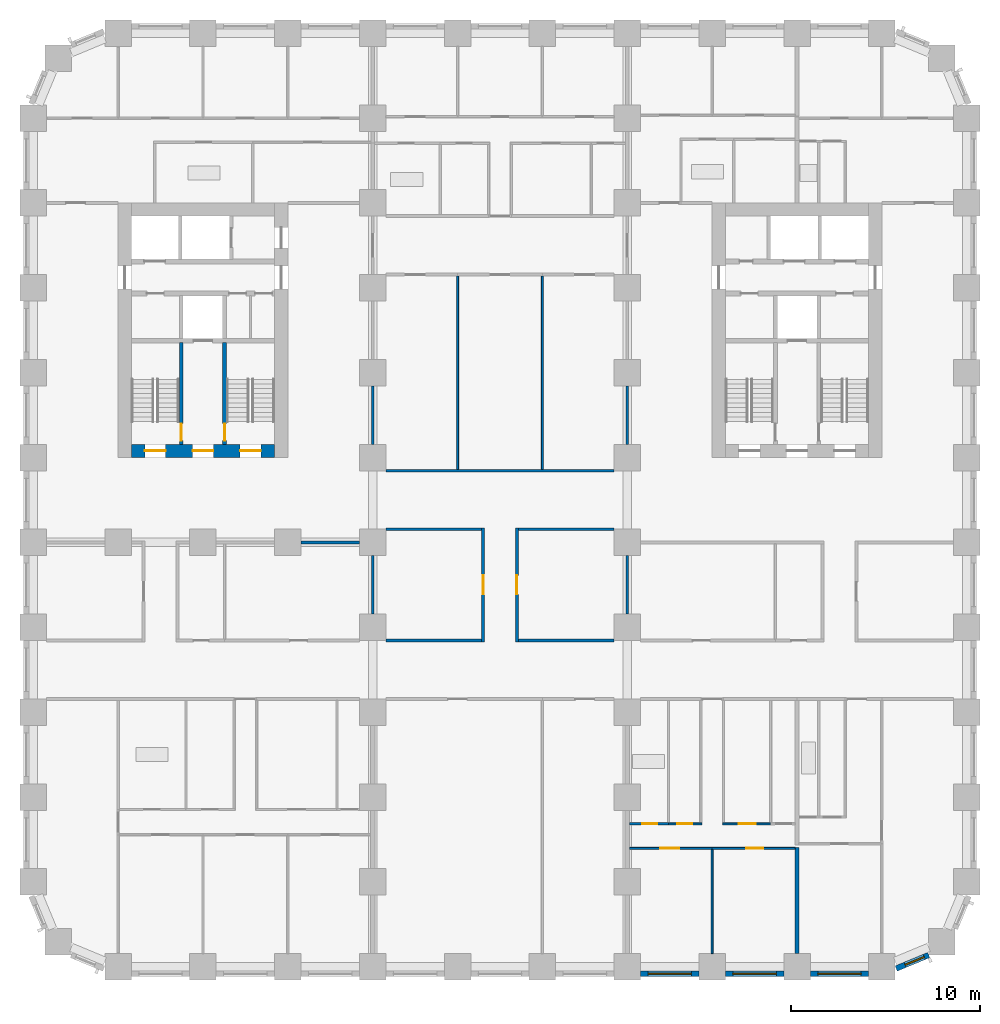
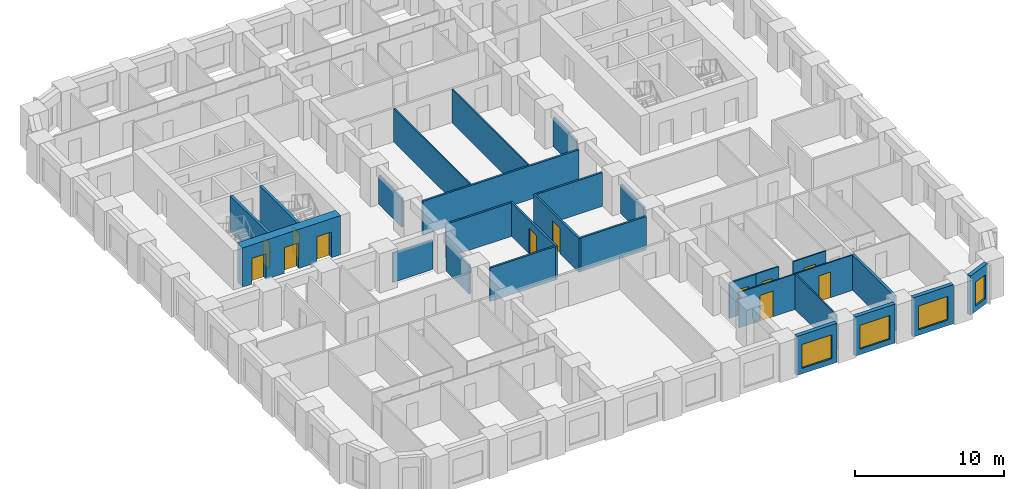
# One storey, part 4 of 13: 28 walls, 12 doors, 4 windows, 16 openings.
"""IFC4 building model written with IfcOpenShell, lengths in metres."""

from ifc_helpers import new_model, si_unit, direction, frame, frame_2d, origin, place, context, subcontext, project, spatial, rectangle, extrude, material, layer, layer_set, type_object, element, fill, save


model = new_model("IFC4")

# Units and contexts
model_context = context("Model", 3, precision=1e-05, world=origin(), true_north=direction((0.0, 1.0)))
body_context = subcontext(model_context, "Body", "Model", "MODEL_VIEW")
ifc_project = project(units=[si_unit("LENGTHUNIT", "METRE"), si_unit("AREAUNIT", "SQUARE_METRE"), si_unit("VOLUMEUNIT", "CUBIC_METRE"), si_unit("PLANEANGLEUNIT", "RADIAN"), si_unit("MASSUNIT", "GRAM", prefix="KILO")], contexts=[model_context])

# Site, building, storey
site_placement = place(None, origin())
site = spatial("IfcSite", under=ifc_project, at=site_placement, CompositionType="ELEMENT")
building_placement = place(site_placement, origin())
building = spatial("IfcBuilding", under=site, at=building_placement, Name="Girih Gate Residences", CompositionType="ELEMENT")
storey_placement = place(building_placement, frame((0.0, 0.0, 49.60009765625)))
storey = spatial("IfcBuildingStorey", under=building, at=storey_placement, Name="L12", CompositionType="ELEMENT", Elevation=49.60009765625)

# Wall, opening, door
ifc_material_1 = material(Name="Gypsum board on steel studs", Category="steel")
ifc_layer_1 = layer(ifc_material_1, 0.14990234375)
ifc_layer_set_1 = layer_set([ifc_layer_1], Name="Compartment wall 150 mm")
wall_type_1 = type_object("IfcWallType", Name="Compartment wall 150 mm", PredefinedType="PARTITIONING", material=ifc_layer_set_1)
wall_1_placement = place(storey_placement, frame((23.85009765625, 17.22509765625, 0.0), z_axis=(0.0, 0.0, 1.0), x_axis=(0.0, 1.0, 0.0)))
wall_1 = element("IfcWall", 1, at=wall_1_placement, inside=storey, type_object=wall_type_1, Name="L12 partition", PredefinedType="PARTITIONING", context=body_context, shape_type="SweptSolid", body=[
    extrude(rectangle(XDim=6.0498046875, YDim=0.14990234375, at=frame_2d((3.02490234375, 0.0))), origin(), (0.0, 0.0, 1.0), 2.75),
])
opening_1_placement = place(wall_1_placement, frame((2.52490234375, 0.0, 0.0)))
opening_1 = element("IfcOpeningElement", 2, at=opening_1_placement, cuts=wall_1, Name="Opening A12-054", PredefinedType="OPENING", context=body_context, shape_type="SweptSolid", body=[
    extrude(rectangle(XDim=1.0, YDim=2.10009765625, at=frame_2d((0.5, 1.050048828125))), frame((0.0, 0.0849609375, 0.0), z_axis=(0.0, -1.0, 0.0), x_axis=(1.0, 0.0, 0.0)), (0.0, 0.0, 1.0), 0.169921875),
])
ifc_material_2 = material(Name="Timber, fire-rated core", Category="wood")
door_type_1 = type_object("IfcDoorType", Name="Amenity room door 1000x2100 FD30S", OperationType="NOTDEFINED", PredefinedType="DOOR", material=ifc_material_2)
door_1_placement = place(opening_1_placement, origin())
door_1 = element("IfcDoor", 3, at=door_1_placement, inside=storey, type_object=door_type_1, Name="Door A12-054", OperationType="SINGLE_SWING_RIGHT", OverallHeight=2.10009765625, OverallWidth=1.0, PredefinedType="DOOR", context=body_context, shape_type="SweptSolid", body=[
    extrude(rectangle(XDim=1.0, YDim=2.10009765625, at=frame_2d((0.5, 1.050048828125))), frame((0.0, 0.02490234375, 0.0), z_axis=(0.0, -1.0, 0.0), x_axis=(1.0, 0.0, 0.0)), (0.0, 0.0, 1.0), 0.050048828125),
])
fill(opening_1, door_1)

wall_2_placement = place(storey_placement, frame((25.64990234375, 23.27490234375, 0.0), z_axis=(0.0, 0.0, 1.0), x_axis=(0.0, -1.0, 0.0)))
wall_2 = element("IfcWall", 4, at=wall_2_placement, inside=storey, type_object=wall_type_1, Name="L12 partition", PredefinedType="PARTITIONING", context=body_context, shape_type="SweptSolid", body=[
    extrude(rectangle(XDim=6.0498046875, YDim=0.14990234375, at=frame_2d((3.02490234375, 0.0))), origin(), (0.0, 0.0, 1.0), 2.75),
])
opening_2_placement = place(wall_2_placement, frame((2.52490234375, 0.0, 0.0)))
opening_2 = element("IfcOpeningElement", 5, at=opening_2_placement, cuts=wall_2, Name="Opening A12-055", PredefinedType="OPENING", context=body_context, shape_type="SweptSolid", body=[
    extrude(rectangle(XDim=1.0, YDim=2.10009765625, at=frame_2d((0.5, 1.050048828125))), frame((0.0, 0.0849609375, 0.0), z_axis=(0.0, -1.0, 0.0), x_axis=(1.0, 0.0, 0.0)), (0.0, 0.0, 1.0), 0.169921875),
])
door_2_placement = place(opening_2_placement, origin())
door_2 = element("IfcDoor", 6, at=door_2_placement, inside=storey, type_object=door_type_1, Name="Door A12-055", OperationType="SINGLE_SWING_RIGHT", OverallHeight=2.10009765625, OverallWidth=1.0, PredefinedType="DOOR", context=body_context, shape_type="SweptSolid", body=[
    extrude(rectangle(XDim=1.0, YDim=2.10009765625, at=frame_2d((0.5, 1.050048828125))), frame((0.0, 0.02490234375, 0.0), z_axis=(0.0, -1.0, 0.0), x_axis=(1.0, 0.0, 0.0)), (0.0, 0.0, 1.0), 0.050048828125),
])
fill(opening_2, door_2)

# Walls
for number, where, z_axis, x_axis, name in (
    (7, (18.699951171875, 17.300048828125, 0.0), (0.0, 0.0, 1.0), (1.0, 0.0, 0.0), "L12 partition"),
    (8, (25.72509765625, 17.300048828125, 0.0), (0.0, 0.0, 1.0), (1.0, 0.0, 0.0), "L12 partition"),
):
    element("IfcWall", number, at=place(storey_placement, frame(where, z_axis=z_axis, x_axis=x_axis)), inside=storey, type_object=wall_type_1, Name=name, PredefinedType="PARTITIONING", context=body_context, shape_type="SweptSolid", body=[
        extrude(rectangle(XDim=5.074951171875, YDim=0.14990234375, at=frame_2d((2.53759765625, 0.0))), origin(), (0.0, 0.0, 1.0), 2.75),
    ])
wall_3_placement = place(storey_placement, frame((18.0, 27.699951171875, 0.0), z_axis=(0.0, 0.0, 1.0), x_axis=(0.0, 1.0, 0.0)))
element("IfcWall", 9, at=wall_3_placement, inside=storey, type_object=wall_type_1, Name="L12 partition", PredefinedType="PARTITIONING", context=body_context, shape_type="SweptSolid", body=[
    extrude(rectangle(XDim=3.10009765625, YDim=0.14990234375, at=frame_2d((1.550048828125, 0.0))), origin(), (0.0, 0.0, 1.0), 2.3798828125),
])
wall_4_placement = place(storey_placement, frame((18.699951171875, 26.300048828125, 0.0), z_axis=(0.0, 0.0, 1.0), x_axis=(1.0, 0.0, 0.0)))
element("IfcWall", 10, at=wall_4_placement, inside=storey, type_object=wall_type_1, Name="L12 partition", PredefinedType="PARTITIONING", context=body_context, shape_type="SweptSolid", body=[
    extrude(rectangle(XDim=12.10009765625, YDim=0.14990234375, at=frame_2d((6.050048828125, 0.0))), origin(), (0.0, 0.0, 1.0), 2.75),
])
wall_5_placement = place(storey_placement, frame((31.5, 27.699951171875, 0.0), z_axis=(0.0, 0.0, 1.0), x_axis=(0.0, 1.0, 0.0)))
element("IfcWall", 11, at=wall_5_placement, inside=storey, type_object=wall_type_1, Name="L12 partition", PredefinedType="PARTITIONING", context=body_context, shape_type="SweptSolid", body=[
    extrude(rectangle(XDim=3.10009765625, YDim=0.14990234375, at=frame_2d((1.550048828125, 0.0))), origin(), (0.0, 0.0, 1.0), 2.3798828125),
])
wall_6_placement = place(storey_placement, frame((18.699951171875, 23.199951171875, 0.0), z_axis=(0.0, 0.0, 1.0), x_axis=(1.0, 0.0, 0.0)))
element("IfcWall", 12, at=wall_6_placement, inside=storey, type_object=wall_type_1, Name="L12 partition", PredefinedType="PARTITIONING", context=body_context, shape_type="SweptSolid", body=[
    extrude(rectangle(XDim=5.074951171875, YDim=0.14990234375, at=frame_2d((2.53759765625, 0.0))), origin(), (0.0, 0.0, 1.0), 2.75),
])
wall_7_placement = place(storey_placement, frame((18.0, 18.699951171875, 0.0), z_axis=(0.0, 0.0, 1.0), x_axis=(0.0, 1.0, 0.0)))
element("IfcWall", 13, at=wall_7_placement, inside=storey, type_object=wall_type_1, Name="L12 partition", PredefinedType="PARTITIONING", context=body_context, shape_type="SweptSolid", body=[
    extrude(rectangle(XDim=3.10009765625, YDim=0.14990234375, at=frame_2d((1.550048828125, 0.0))), origin(), (0.0, 0.0, 1.0), 2.3798828125),
])
wall_8_placement = place(storey_placement, frame((25.72509765625, 23.199951171875, 0.0), z_axis=(0.0, 0.0, 1.0), x_axis=(1.0, 0.0, 0.0)))
element("IfcWall", 14, at=wall_8_placement, inside=storey, type_object=wall_type_1, Name="L12 partition", PredefinedType="PARTITIONING", context=body_context, shape_type="SweptSolid", body=[
    extrude(rectangle(XDim=5.074951171875, YDim=0.14990234375, at=frame_2d((2.53759765625, 0.0))), origin(), (0.0, 0.0, 1.0), 2.75),
])
for number, where, z_axis, x_axis, name in (
    (15, (31.5, 18.699951171875, 0.0), (0.0, 0.0, 1.0), (0.0, 1.0, 0.0), "L12 partition"),
    (16, (14.199951171875, 22.5, 0.0), (0.0, 0.0, 1.0), (1.0, 0.0, 0.0), "L12 partition"),
):
    element("IfcWall", number, at=place(storey_placement, frame(where, z_axis=z_axis, x_axis=x_axis)), inside=storey, type_object=wall_type_1, Name=name, PredefinedType="PARTITIONING", context=body_context, shape_type="SweptSolid", body=[
        extrude(rectangle(XDim=3.10009765625, YDim=0.14990234375, at=frame_2d((1.550048828125, 0.0))), origin(), (0.0, 0.0, 1.0), 2.3798828125),
    ])

# Wall, openings, doors
ifc_material_3 = material(Name="Concrete C60/75", Category="concrete")
ifc_layer_2 = layer(ifc_material_3, 0.699951171875)
ifc_layer_set_2 = layer_set([ifc_layer_2], Name="Core wall RC 700 Concrete C60/75")
wall_type_2 = type_object("IfcWallType", Name="Core wall RC 700 Concrete C60/75", PredefinedType="SOLIDWALL", material=ifc_layer_set_2)
wall_9_placement = place(storey_placement, frame((5.199951171875, 27.35009765625, 0.0), z_axis=(0.0, 0.0, 1.0), x_axis=(1.0, 0.0, 0.0)))
wall_9 = element("IfcWall", 17, at=wall_9_placement, inside=storey, type_object=wall_type_2, Name="Core wall W-S L12", PredefinedType="SOLIDWALL", context=body_context, shape_type="SweptSolid", body=[
    extrude(rectangle(XDim=7.60009765625, YDim=0.699951171875, at=frame_2d((3.800048828125, 0.0))), origin(), (0.0, 0.0, 1.0), 3.199951171875),
])
opening_3_placement = place(wall_9_placement, frame((0.72509765625, 0.0, 0.0)))
opening_3 = element("IfcOpeningElement", 18, at=opening_3_placement, cuts=wall_9, Name="Opening D-L12-W-009", PredefinedType="OPENING", context=body_context, shape_type="SweptSolid", body=[
    extrude(rectangle(XDim=1.10009765625, YDim=2.10009765625, at=frame_2d((0.550048828125, 1.050048828125))), frame((0.0, 0.35986328125, 0.0), z_axis=(0.0, -1.0, 0.0), x_axis=(1.0, 0.0, 0.0)), (0.0, 0.0, 1.0), 0.719970703125),
])
opening_4_placement = place(wall_9_placement, frame((3.25, 0.0, 0.0)))
opening_4 = element("IfcOpeningElement", 19, at=opening_4_placement, cuts=wall_9, Name="Opening D-L12-W-010", PredefinedType="OPENING", context=body_context, shape_type="SweptSolid", body=[
    extrude(rectangle(XDim=1.10009765625, YDim=2.10009765625, at=frame_2d((0.550048828125, 1.050048828125))), frame((0.0, 0.35986328125, 0.0), z_axis=(0.0, -1.0, 0.0), x_axis=(1.0, 0.0, 0.0)), (0.0, 0.0, 1.0), 0.719970703125),
])
opening_5_placement = place(wall_9_placement, frame((5.77490234375, 0.0, 0.0)))
opening_5 = element("IfcOpeningElement", 20, at=opening_5_placement, cuts=wall_9, Name="Opening D-L12-W-011", PredefinedType="OPENING", context=body_context, shape_type="SweptSolid", body=[
    extrude(rectangle(XDim=1.10009765625, YDim=2.10009765625, at=frame_2d((0.550048828125, 1.050048828125))), frame((0.0, 0.35986328125, 0.0), z_axis=(0.0, -1.0, 0.0), x_axis=(1.0, 0.0, 0.0)), (0.0, 0.0, 1.0), 0.719970703125),
])
ifc_material_4 = material(Name="Painted steel, fire-resisting", Category="steel")
door_type_2 = type_object("IfcDoorType", Name="Fire door 1100x2100", OperationType="SINGLE_SWING_LEFT", PredefinedType="DOOR", material=ifc_material_4)
door_3_placement = place(opening_3_placement, origin())
door_3 = element("IfcDoor", 21, at=door_3_placement, inside=storey, type_object=door_type_2, Name="L12 W core door sta-out", OperationType="SINGLE_SWING_LEFT", OverallHeight=2.10009765625, OverallWidth=1.10009765625, PredefinedType="DOOR", context=body_context, shape_type="SweptSolid", body=[
    extrude(rectangle(XDim=1.10009765625, YDim=2.10009765625, at=frame_2d((0.550048828125, 1.050048828125))), frame((0.0, 0.02490234375, 0.0), z_axis=(0.0, -1.0, 0.0), x_axis=(1.0, 0.0, 0.0)), (0.0, 0.0, 1.0), 0.050048828125),
])
fill(opening_3, door_3)
door_4_placement = place(opening_4_placement, origin())
door_4 = element("IfcDoor", 22, at=door_4_placement, inside=storey, type_object=door_type_2, Name="L12 W core door ffl-out", OperationType="SINGLE_SWING_LEFT", OverallHeight=2.10009765625, OverallWidth=1.10009765625, PredefinedType="DOOR", context=body_context, shape_type="SweptSolid", body=[
    extrude(rectangle(XDim=1.10009765625, YDim=2.10009765625, at=frame_2d((0.550048828125, 1.050048828125))), frame((0.0, 0.02490234375, 0.0), z_axis=(0.0, -1.0, 0.0), x_axis=(1.0, 0.0, 0.0)), (0.0, 0.0, 1.0), 0.050048828125),
])
fill(opening_4, door_4)
door_5_placement = place(opening_5_placement, origin())
door_5 = element("IfcDoor", 23, at=door_5_placement, inside=storey, type_object=door_type_2, Name="L12 W core door stb-out", OperationType="SINGLE_SWING_LEFT", OverallHeight=2.10009765625, OverallWidth=1.10009765625, PredefinedType="DOOR", context=body_context, shape_type="SweptSolid", body=[
    extrude(rectangle(XDim=1.10009765625, YDim=2.10009765625, at=frame_2d((0.550048828125, 1.050048828125))), frame((0.0, 0.02490234375, 0.0), z_axis=(0.0, -1.0, 0.0), x_axis=(1.0, 0.0, 0.0)), (0.0, 0.0, 1.0), 0.050048828125),
])
fill(opening_5, door_5)

# Wall, opening, door
ifc_layer_3 = layer(ifc_material_1, 0.10009765625)
ifc_layer_set_3 = layer_set([ifc_layer_3], Name="Partition 100 mm")
wall_type_3 = type_object("IfcWallType", Name="Partition 100 mm", PredefinedType="PARTITIONING", material=ifc_layer_set_3)
wall_10_placement = place(storey_placement, frame((40.39990234375, 6.280029296875, 0.0), z_axis=(0.0, 0.0, 1.0), x_axis=(-1.0, 0.0, 0.0)))
wall_10 = element("IfcWall", 24, at=wall_10_placement, inside=storey, type_object=wall_type_3, Name="L12 partition", PredefinedType="PARTITIONING", context=body_context, shape_type="SweptSolid", body=[
    extrude(rectangle(XDim=4.39990234375, YDim=0.10009765625, at=frame_2d((2.199951171875, 0.0))), origin(), (0.0, 0.0, 1.0), 2.89990234375),
])
opening_6_placement = place(wall_10_placement, frame((1.699951171875, 0.0, 0.0)))
opening_6 = element("IfcOpeningElement", 25, at=opening_6_placement, cuts=wall_10, Name="Opening A12-023", PredefinedType="OPENING", context=body_context, shape_type="SweptSolid", body=[
    extrude(rectangle(XDim=0.89990234375, YDim=2.10009765625, at=frame_2d((0.449951171875, 1.050048828125))), frame((0.0, 0.06005859375, 0.0), z_axis=(0.0, -1.0, 0.0), x_axis=(1.0, 0.0, 0.0)), (0.0, 0.0, 1.0), 0.1201171875),
])
ifc_material_5 = material(Name="Timber", Category="wood")
door_type_3 = type_object("IfcDoorType", Name="Bedroom door 900x2100", OperationType="NOTDEFINED", PredefinedType="DOOR", material=ifc_material_5)
door_6_placement = place(opening_6_placement, origin())
door_6 = element("IfcDoor", 26, at=door_6_placement, inside=storey, type_object=door_type_3, Name="Door A12-023", OperationType="SINGLE_SWING_LEFT", OverallHeight=2.10009765625, OverallWidth=0.89990234375, PredefinedType="DOOR", context=body_context, shape_type="SweptSolid", body=[
    extrude(rectangle(XDim=0.89990234375, YDim=2.10009765625, at=frame_2d((0.449951171875, 1.050048828125))), frame((0.0, 0.02490234375, 0.0), z_axis=(0.0, -1.0, 0.0), x_axis=(1.0, 0.0, 0.0)), (0.0, 0.0, 1.0), 0.050048828125),
])
fill(opening_6, door_6)

# Wall
wall_11_placement = place(storey_placement, frame((36.0, 0.699951171875, 0.0), z_axis=(0.0, 0.0, 1.0), x_axis=(0.0, 1.0, 0.0)))
element("IfcWall", 27, at=wall_11_placement, inside=storey, type_object=wall_type_3, Name="L12 partition", PredefinedType="PARTITIONING", context=body_context, shape_type="SweptSolid", body=[
    extrude(rectangle(XDim=5.530029296875, YDim=0.10009765625, at=frame_2d((2.76513671875, 0.0))), origin(), (0.0, 0.0, 1.0), 2.89990234375),
])

# Wall, opening, door
wall_12_placement = place(storey_placement, frame((36.550048828125, 7.580078125, 0.0), z_axis=(0.0, 0.0, 1.0), x_axis=(1.0, 0.0, 0.0)))
wall_12 = element("IfcWall", 28, at=wall_12_placement, inside=storey, type_object=wall_type_3, Name="L12 partition", PredefinedType="PARTITIONING", context=body_context, shape_type="SweptSolid", body=[
    extrude(rectangle(XDim=2.54931640625, YDim=0.10009765625, at=frame_2d((1.274658203125, 0.0))), origin(), (0.0, 0.0, 1.0), 2.89990234375),
])
opening_7_placement = place(wall_12_placement, frame((0.849609375, 0.0, 0.0)))
opening_7 = element("IfcOpeningElement", 29, at=opening_7_placement, cuts=wall_12, Name="Opening A12-024", PredefinedType="OPENING", context=body_context, shape_type="SweptSolid", body=[
    extrude(rectangle(XDim=0.89990234375, YDim=2.10009765625, at=frame_2d((0.449951171875, 1.050048828125))), frame((0.0, 0.06005859375, 0.0), z_axis=(0.0, -1.0, 0.0), x_axis=(1.0, 0.0, 0.0)), (0.0, 0.0, 1.0), 0.1201171875),
])
door_type_4 = type_object("IfcDoorType", Name="Kitchen door 900x2100", OperationType="NOTDEFINED", PredefinedType="DOOR", material=ifc_material_5)
door_7_placement = place(opening_7_placement, origin())
door_7 = element("IfcDoor", 30, at=door_7_placement, inside=storey, type_object=door_type_4, Name="Door A12-024", OperationType="SINGLE_SWING_RIGHT", OverallHeight=2.10009765625, OverallWidth=0.89990234375, PredefinedType="DOOR", context=body_context, shape_type="SweptSolid", body=[
    extrude(rectangle(XDim=0.89990234375, YDim=2.10009765625, at=frame_2d((0.449951171875, 1.050048828125))), frame((0.0, 0.02490234375, 0.0), z_axis=(0.0, -1.0, 0.0), x_axis=(1.0, 0.0, 0.0)), (0.0, 0.0, 1.0), 0.050048828125),
])
fill(opening_7, door_7)

wall_13_placement = place(storey_placement, frame((36.0, 6.280029296875, 0.0), z_axis=(0.0, 0.0, 1.0), x_axis=(-1.0, 0.0, 0.0)))
wall_13 = element("IfcWall", 31, at=wall_13_placement, inside=storey, type_object=wall_type_3, Name="L12 partition", PredefinedType="PARTITIONING", context=body_context, shape_type="SweptSolid", body=[
    extrude(rectangle(XDim=4.375, YDim=0.10009765625, at=frame_2d((2.1875, 0.0))), origin(), (0.0, 0.0, 1.0), 2.89990234375),
])
opening_8_placement = place(wall_13_placement, frame((1.75, 0.0, 0.0)))
opening_8 = element("IfcOpeningElement", 32, at=opening_8_placement, cuts=wall_13, Name="Opening A12-025", PredefinedType="OPENING", context=body_context, shape_type="SweptSolid", body=[
    extrude(rectangle(XDim=1.0, YDim=2.10009765625, at=frame_2d((0.5, 1.050048828125))), frame((0.0, 0.06005859375, 0.0), z_axis=(0.0, -1.0, 0.0), x_axis=(1.0, 0.0, 0.0)), (0.0, 0.0, 1.0), 0.1201171875),
])
door_type_5 = type_object("IfcDoorType", Name="Living room door 1000x2100", OperationType="NOTDEFINED", PredefinedType="DOOR", material=ifc_material_5)
door_8_placement = place(opening_8_placement, origin())
door_8 = element("IfcDoor", 33, at=door_8_placement, inside=storey, type_object=door_type_5, Name="Door A12-025", OperationType="SINGLE_SWING_RIGHT", OverallHeight=2.10009765625, OverallWidth=1.0, PredefinedType="DOOR", context=body_context, shape_type="SweptSolid", body=[
    extrude(rectangle(XDim=1.0, YDim=2.10009765625, at=frame_2d((0.5, 1.050048828125))), frame((0.0, 0.02490234375, 0.0), z_axis=(0.0, -1.0, 0.0), x_axis=(1.0, 0.0, 0.0)), (0.0, 0.0, 1.0), 0.050048828125),
])
fill(opening_8, door_8)

wall_14_placement = place(storey_placement, frame((33.684326171875, 7.580078125, 0.0), z_axis=(0.0, 0.0, 1.0), x_axis=(1.0, 0.0, 0.0)))
wall_14 = element("IfcWall", 34, at=wall_14_placement, inside=storey, type_object=wall_type_3, Name="L12 partition", PredefinedType="PARTITIONING", context=body_context, shape_type="SweptSolid", body=[
    extrude(rectangle(XDim=1.765625, YDim=0.10009765625, at=frame_2d((0.8828125, 0.0))), origin(), (0.0, 0.0, 1.0), 2.89990234375),
])
opening_9_placement = place(wall_14_placement, frame((0.457763671875, 0.0, 0.0)))
opening_9 = element("IfcOpeningElement", 35, at=opening_9_placement, cuts=wall_14, Name="Opening A12-027", PredefinedType="OPENING", context=body_context, shape_type="SweptSolid", body=[
    extrude(rectangle(XDim=0.800048828125, YDim=2.10009765625, at=frame_2d((0.39990234375, 1.050048828125))), frame((0.0, 0.06005859375, 0.0), z_axis=(0.0, -1.0, 0.0), x_axis=(1.0, 0.0, 0.0)), (0.0, 0.0, 1.0), 0.1201171875),
])
door_type_6 = type_object("IfcDoorType", Name="Store door 800x2100", OperationType="NOTDEFINED", PredefinedType="DOOR", material=ifc_material_5)
door_9_placement = place(opening_9_placement, origin())
door_9 = element("IfcDoor", 36, at=door_9_placement, inside=storey, type_object=door_type_6, Name="Door A12-027", OperationType="SINGLE_SWING_LEFT", OverallHeight=2.10009765625, OverallWidth=0.800048828125, PredefinedType="DOOR", context=body_context, shape_type="SweptSolid", body=[
    extrude(rectangle(XDim=0.800048828125, YDim=2.10009765625, at=frame_2d((0.39990234375, 1.050048828125))), frame((0.0, 0.02490234375, 0.0), z_axis=(0.0, -1.0, 0.0), x_axis=(1.0, 0.0, 0.0)), (0.0, 0.0, 1.0), 0.050048828125),
])
fill(opening_9, door_9)

# Walls
for number, where, z_axis, x_axis, name in (
    (37, (22.5, 26.375, 0.0), (0.0, 0.0, 1.0), (0.0, 1.0, 0.0), "L12 partition"),
    (38, (27.0, 26.375, 0.0), (0.0, 0.0, 1.0), (0.0, 1.0, 0.0), "L12 partition"),
):
    element("IfcWall", number, at=place(storey_placement, frame(where, z_axis=z_axis, x_axis=x_axis)), inside=storey, type_object=wall_type_3, Name=name, PredefinedType="PARTITIONING", context=body_context, shape_type="SweptSolid", body=[
        extrude(rectangle(XDim=10.25, YDim=0.10009765625, at=frame_2d((5.125, 0.0))), origin(), (0.0, 0.0, 1.0), 2.75),
    ])
ifc_layer_4 = layer(ifc_material_1, 0.199951171875)
ifc_layer_set_4 = layer_set([ifc_layer_4], Name="Party wall 200 mm")
wall_type_4 = type_object("IfcWallType", Name="Party wall 200 mm", PredefinedType="PARTITIONING", material=ifc_layer_set_4)
wall_15_placement = place(storey_placement, frame((40.5, 0.699951171875, 0.0), z_axis=(0.0, 0.0, 1.0), x_axis=(0.0, 1.0, 0.0)))
element("IfcWall", 39, at=wall_15_placement, inside=storey, type_object=wall_type_4, Name="L12 partition", PredefinedType="PARTITIONING", context=body_context, shape_type="SweptSolid", body=[
    extrude(rectangle(XDim=5.630126953125, YDim=0.199951171875, at=frame_2d((2.81494140625, 0.0))), origin(), (0.0, 0.0, 1.0), 2.89990234375),
])

# Wall, opening, window
ifc_material_6 = material(Name="Precast concrete C50/60", Category="concrete")
ifc_layer_5 = layer(ifc_material_6, 0.080078125, Name="Outer leaf")
ifc_material_7 = material(Name="Rigid PIR insulation")
ifc_layer_6 = layer(ifc_material_7, 0.14990234375, Name="Insulation")
ifc_material_8 = material(Name="Precast concrete C40/50", Category="concrete")
ifc_layer_7 = layer(ifc_material_8, 0.070068359375, Name="Inner leaf")
ifc_layer_set_5 = layer_set([ifc_layer_5, ifc_layer_6, ifc_layer_7], Name="Precast concrete C50/60 external wall 300")
wall_type_5 = type_object("IfcWallType", Name="Precast concrete C50/60 external wall 300", PredefinedType="SOLIDWALL", material=ifc_layer_set_5)
wall_16_placement = place(storey_placement, frame((35.300048828125, -0.375, 0.0), z_axis=(0.0, 0.0, 1.0), x_axis=(-1.0, 0.0, 0.0)))
wall_16 = element("IfcWall", 40, at=wall_16_placement, inside=storey, type_object=wall_type_5, Name="External wall S0045_0000.6", PredefinedType="SOLIDWALL", context=body_context, shape_type="SweptSolid", body=[
    extrude(rectangle(XDim=3.10009765625, YDim=0.300048828125, at=frame_2d((1.550048828125, 0.0))), origin(), (0.0, 0.0, 1.0), 3.199951171875),
])
opening_10_placement = place(wall_16_placement, frame((0.39990234375, 0.0, 0.449951171875)))
opening_10 = element("IfcOpeningElement", 41, at=opening_10_placement, cuts=wall_16, Name="Opening W-1", PredefinedType="OPENING", context=body_context, shape_type="SweptSolid", body=[
    extrude(rectangle(XDim=2.300048828125, YDim=1.949951171875, at=frame_2d((1.14990234375, 0.97509765625))), frame((0.0, 0.159912109375, 0.0), z_axis=(0.0, -1.0, 0.0), x_axis=(1.0, 0.0, 0.0)), (0.0, 0.0, 1.0), 0.320068359375),
])
ifc_material_9 = material(Name="Double glazing in aluminium frame", Category="aluminium")
window_type_1 = type_object("IfcWindowType", Name="Window W-1 2300x1950", PartitioningType="SINGLE_PANEL", PredefinedType="WINDOW", material=ifc_material_9)
window_1_placement = place(opening_10_placement, origin())
window_1 = element("IfcWindow", 42, at=window_1_placement, inside=storey, type_object=window_type_1, Name="Window W-1 S0045_0000.6", OverallHeight=1.949951171875, OverallWidth=2.300048828125, PartitioningType="SINGLE_PANEL", PredefinedType="WINDOW", context=body_context, shape_type="SweptSolid", body=[
    extrude(rectangle(XDim=2.300048828125, YDim=1.949951171875, at=frame_2d((1.14990234375, 0.97509765625))), frame((0.0, 0.030029296875, 0.0), z_axis=(0.0, -1.0, 0.0), x_axis=(1.0, 0.0, 0.0)), (0.0, 0.0, 1.0), 0.06005859375),
])
fill(opening_10, window_1)

wall_17_placement = place(storey_placement, frame((39.800048828125, -0.375, 0.0), z_axis=(0.0, 0.0, 1.0), x_axis=(-1.0, 0.0, 0.0)))
wall_17 = element("IfcWall", 43, at=wall_17_placement, inside=storey, type_object=wall_type_5, Name="External wall S0045_0000.7", PredefinedType="SOLIDWALL", context=body_context, shape_type="SweptSolid", body=[
    extrude(rectangle(XDim=3.10009765625, YDim=0.300048828125, at=frame_2d((1.550048828125, 0.0))), origin(), (0.0, 0.0, 1.0), 3.199951171875),
])
opening_11_placement = place(wall_17_placement, frame((0.39990234375, 0.0, 0.449951171875)))
opening_11 = element("IfcOpeningElement", 44, at=opening_11_placement, cuts=wall_17, Name="Opening W-1", PredefinedType="OPENING", context=body_context, shape_type="SweptSolid", body=[
    extrude(rectangle(XDim=2.300048828125, YDim=1.949951171875, at=frame_2d((1.14990234375, 0.97509765625))), frame((0.0, 0.159912109375, 0.0), z_axis=(0.0, -1.0, 0.0), x_axis=(1.0, 0.0, 0.0)), (0.0, 0.0, 1.0), 0.320068359375),
])
window_2_placement = place(opening_11_placement, origin())
window_2 = element("IfcWindow", 45, at=window_2_placement, inside=storey, type_object=window_type_1, Name="Window W-1 S0045_0000.7", OverallHeight=1.949951171875, OverallWidth=2.300048828125, PartitioningType="SINGLE_PANEL", PredefinedType="WINDOW", context=body_context, shape_type="SweptSolid", body=[
    extrude(rectangle(XDim=2.300048828125, YDim=1.949951171875, at=frame_2d((1.14990234375, 0.97509765625))), frame((0.0, 0.030029296875, 0.0), z_axis=(0.0, -1.0, 0.0), x_axis=(1.0, 0.0, 0.0)), (0.0, 0.0, 1.0), 0.06005859375),
])
fill(opening_11, window_2)

wall_18_placement = place(storey_placement, frame((44.300048828125, -0.375, 0.0), z_axis=(0.0, 0.0, 1.0), x_axis=(-1.0, 0.0, 0.0)))
wall_18 = element("IfcWall", 46, at=wall_18_placement, inside=storey, type_object=wall_type_5, Name="External wall S0045_0000.8", PredefinedType="SOLIDWALL", context=body_context, shape_type="SweptSolid", body=[
    extrude(rectangle(XDim=3.10009765625, YDim=0.300048828125, at=frame_2d((1.550048828125, 0.0))), origin(), (0.0, 0.0, 1.0), 3.199951171875),
])
opening_12_placement = place(wall_18_placement, frame((0.39990234375, 0.0, 0.449951171875)))
opening_12 = element("IfcOpeningElement", 47, at=opening_12_placement, cuts=wall_18, Name="Opening W-1", PredefinedType="OPENING", context=body_context, shape_type="SweptSolid", body=[
    extrude(rectangle(XDim=2.300048828125, YDim=1.949951171875, at=frame_2d((1.14990234375, 0.97509765625))), frame((0.0, 0.159912109375, 0.0), z_axis=(0.0, -1.0, 0.0), x_axis=(1.0, 0.0, 0.0)), (0.0, 0.0, 1.0), 0.320068359375),
])
window_3_placement = place(opening_12_placement, origin())
window_3 = element("IfcWindow", 48, at=window_3_placement, inside=storey, type_object=window_type_1, Name="Window W-1 S0045_0000.8", OverallHeight=1.949951171875, OverallWidth=2.300048828125, PartitioningType="SINGLE_PANEL", PredefinedType="WINDOW", context=body_context, shape_type="SweptSolid", body=[
    extrude(rectangle(XDim=2.300048828125, YDim=1.949951171875, at=frame_2d((1.14990234375, 0.97509765625))), frame((0.0, 0.030029296875, 0.0), z_axis=(0.0, -1.0, 0.0), x_axis=(1.0, 0.0, 0.0)), (0.0, 0.0, 1.0), 0.06005859375),
])
fill(opening_12, window_3)

wall_19_placement = place(storey_placement, frame((47.48046875, 0.62158203125, 0.0), z_axis=(0.0, 0.0, 1.0), x_axis=(-0.923903565336, -0.38262540684, 0.0)))
wall_19 = element("IfcWall", 49, at=wall_19_placement, inside=storey, type_object=wall_type_5, Name="External wall SE0450_0000.0", PredefinedType="SOLIDWALL", context=body_context, shape_type="SweptSolid", body=[
    extrude(rectangle(XDim=1.864990234375, YDim=0.300048828125, at=frame_2d((0.9326171875, 0.0))), origin(), (0.0, 0.0, 1.0), 3.199951171875),
])
opening_13_placement = place(wall_19_placement, frame((0.257568359375, 0.0, 0.449951171875)))
opening_13 = element("IfcOpeningElement", 50, at=opening_13_placement, cuts=wall_19, Name="Opening W-2C", PredefinedType="OPENING", context=body_context, shape_type="SweptSolid", body=[
    extrude(rectangle(XDim=1.10009765625, YDim=1.949951171875, at=frame_2d((0.550048828125, 0.97509765625))), frame((0.0, 0.159912109375, 0.0), z_axis=(0.0, -1.0, 0.0), x_axis=(1.0, 0.0, 0.0)), (0.0, 0.0, 1.0), 0.320068359375),
])
window_type_2 = type_object("IfcWindowType", Name="Window W-2C 1100x1950", PartitioningType="SINGLE_PANEL", PredefinedType="WINDOW", material=ifc_material_9)
window_4_placement = place(opening_13_placement, origin())
window_4 = element("IfcWindow", 51, at=window_4_placement, inside=storey, type_object=window_type_2, Name="Window W-2C SE0450_0000.0", OverallHeight=1.949951171875, OverallWidth=1.10009765625, PartitioningType="SINGLE_PANEL", PredefinedType="WINDOW", context=body_context, shape_type="SweptSolid", body=[
    extrude(rectangle(XDim=1.10009765625, YDim=1.949951171875, at=frame_2d((0.550048828125, 0.97509765625))), frame((0.0, 0.030029296875, 0.0), z_axis=(0.0, -1.0, 0.0), x_axis=(1.0, 0.0, 0.0)), (0.0, 0.0, 1.0), 0.06005859375),
])
fill(opening_13, window_4)

# Wall, opening, door
ifc_material_10 = material(Name="Concrete C40/50", Category="concrete")
ifc_layer_8 = layer(ifc_material_10, 0.199951171875)
ifc_layer_set_6 = layer_set([ifc_layer_8], Name="Shaft wall 200")
wall_type_6 = type_object("IfcWallType", Name="Shaft wall 200", PredefinedType="SOLIDWALL", material=ifc_layer_set_6)
wall_20_placement = place(storey_placement, frame((7.85009765625, 27.699951171875, 0.0), z_axis=(0.0, 0.0, 1.0), x_axis=(0.0, 1.0, 0.0)))
wall_20 = element("IfcWall", 52, at=wall_20_placement, inside=storey, type_object=wall_type_6, Name="L12 W core wall V1a", PredefinedType="SOLIDWALL", context=body_context, shape_type="SweptSolid", body=[
    extrude(rectangle(XDim=5.400146484375, YDim=0.199951171875, at=frame_2d((2.7001953125, 0.0))), origin(), (0.0, 0.0, 1.0), 2.89990234375),
])
opening_14_placement = place(wall_20_placement, frame((0.199951171875, 0.0, 0.0)))
opening_14 = element("IfcOpeningElement", 53, at=opening_14_placement, cuts=wall_20, Name="Opening D-L12-W-001", PredefinedType="OPENING", context=body_context, shape_type="SweptSolid", body=[
    extrude(rectangle(XDim=0.89990234375, YDim=2.10009765625, at=frame_2d((0.449951171875, 1.050048828125))), frame((0.0, 0.10986328125, 0.0), z_axis=(0.0, -1.0, 0.0), x_axis=(1.0, 0.0, 0.0)), (0.0, 0.0, 1.0), 0.219970703125),
])
door_type_7 = type_object("IfcDoorType", Name="Fire door 900x2100", OperationType="SINGLE_SWING_LEFT", PredefinedType="DOOR", material=ifc_material_4)
door_10_placement = place(opening_14_placement, origin())
door_10 = element("IfcDoor", 54, at=door_10_placement, inside=storey, type_object=door_type_7, Name="L12 W door stair 1 to firefighting lobby", OperationType="SINGLE_SWING_LEFT", OverallHeight=2.10009765625, OverallWidth=0.89990234375, PredefinedType="DOOR", context=body_context, shape_type="SweptSolid", body=[
    extrude(rectangle(XDim=0.89990234375, YDim=2.10009765625, at=frame_2d((0.449951171875, 1.050048828125))), frame((0.0, 0.02490234375, 0.0), z_axis=(0.0, -1.0, 0.0), x_axis=(1.0, 0.0, 0.0)), (0.0, 0.0, 1.0), 0.050048828125),
])
fill(opening_14, door_10)

wall_21_placement = place(storey_placement, frame((10.14990234375, 27.699951171875, 0.0), z_axis=(0.0, 0.0, 1.0), x_axis=(0.0, 1.0, 0.0)))
wall_21 = element("IfcWall", 55, at=wall_21_placement, inside=storey, type_object=wall_type_6, Name="L12 W core wall V2a", PredefinedType="SOLIDWALL", context=body_context, shape_type="SweptSolid", body=[
    extrude(rectangle(XDim=5.400146484375, YDim=0.199951171875, at=frame_2d((2.7001953125, 0.0))), origin(), (0.0, 0.0, 1.0), 2.89990234375),
])
opening_15_placement = place(wall_21_placement, frame((0.199951171875, 0.0, 0.0)))
opening_15 = element("IfcOpeningElement", 56, at=opening_15_placement, cuts=wall_21, Name="Opening D-L12-W-002", PredefinedType="OPENING", context=body_context, shape_type="SweptSolid", body=[
    extrude(rectangle(XDim=0.89990234375, YDim=2.10009765625, at=frame_2d((0.449951171875, 1.050048828125))), frame((0.0, 0.10986328125, 0.0), z_axis=(0.0, -1.0, 0.0), x_axis=(1.0, 0.0, 0.0)), (0.0, 0.0, 1.0), 0.219970703125),
])
door_11_placement = place(opening_15_placement, origin())
door_11 = element("IfcDoor", 57, at=door_11_placement, inside=storey, type_object=door_type_7, Name="L12 W door stair 2 to firefighting lobby", OperationType="SINGLE_SWING_LEFT", OverallHeight=2.10009765625, OverallWidth=0.89990234375, PredefinedType="DOOR", context=body_context, shape_type="SweptSolid", body=[
    extrude(rectangle(XDim=0.89990234375, YDim=2.10009765625, at=frame_2d((0.449951171875, 1.050048828125))), frame((0.0, 0.02490234375, 0.0), z_axis=(0.0, -1.0, 0.0), x_axis=(1.0, 0.0, 0.0)), (0.0, 0.0, 1.0), 0.050048828125),
])
fill(opening_15, door_11)

ifc_layer_9 = layer(ifc_material_1, 0.125)
ifc_layer_set_7 = layer_set([ifc_layer_9], Name="Wet room wall 125 mm")
wall_type_7 = type_object("IfcWallType", Name="Wet room wall 125 mm", PredefinedType="PARTITIONING", material=ifc_layer_set_7)
wall_22_placement = place(storey_placement, frame((31.625, 7.580078125, 0.0), z_axis=(0.0, 0.0, 1.0), x_axis=(1.0, 0.0, 0.0)))
wall_22 = element("IfcWall", 58, at=wall_22_placement, inside=storey, type_object=wall_type_7, Name="L12 partition", PredefinedType="PARTITIONING", context=body_context, shape_type="SweptSolid", body=[
    extrude(rectangle(XDim=2.059326171875, YDim=0.125, at=frame_2d((1.02978515625, 0.0))), origin(), (0.0, 0.0, 1.0), 2.89990234375),
])
opening_16_placement = place(wall_22_placement, frame((0.667236328125, 0.0, 0.0)))
opening_16 = element("IfcOpeningElement", 59, at=opening_16_placement, cuts=wall_22, Name="Opening A12-022", PredefinedType="OPENING", context=body_context, shape_type="SweptSolid", body=[
    extrude(rectangle(XDim=0.800048828125, YDim=2.10009765625, at=frame_2d((0.39990234375, 1.050048828125))), frame((0.0, 0.072509765625, 0.0), z_axis=(0.0, -1.0, 0.0), x_axis=(1.0, 0.0, 0.0)), (0.0, 0.0, 1.0), 0.14501953125),
])
door_type_8 = type_object("IfcDoorType", Name="Bathroom door 800x2100", OperationType="NOTDEFINED", PredefinedType="DOOR", material=ifc_material_5)
door_12_placement = place(opening_16_placement, origin())
door_12 = element("IfcDoor", 60, at=door_12_placement, inside=storey, type_object=door_type_8, Name="Door A12-022", OperationType="SINGLE_SWING_RIGHT", OverallHeight=2.10009765625, OverallWidth=0.800048828125, PredefinedType="DOOR", context=body_context, shape_type="SweptSolid", body=[
    extrude(rectangle(XDim=0.800048828125, YDim=2.10009765625, at=frame_2d((0.39990234375, 1.050048828125))), frame((0.0, 0.02490234375, 0.0), z_axis=(0.0, -1.0, 0.0), x_axis=(1.0, 0.0, 0.0)), (0.0, 0.0, 1.0), 0.050048828125),
])
fill(opening_16, door_12)

save(model, "model.ifc")
